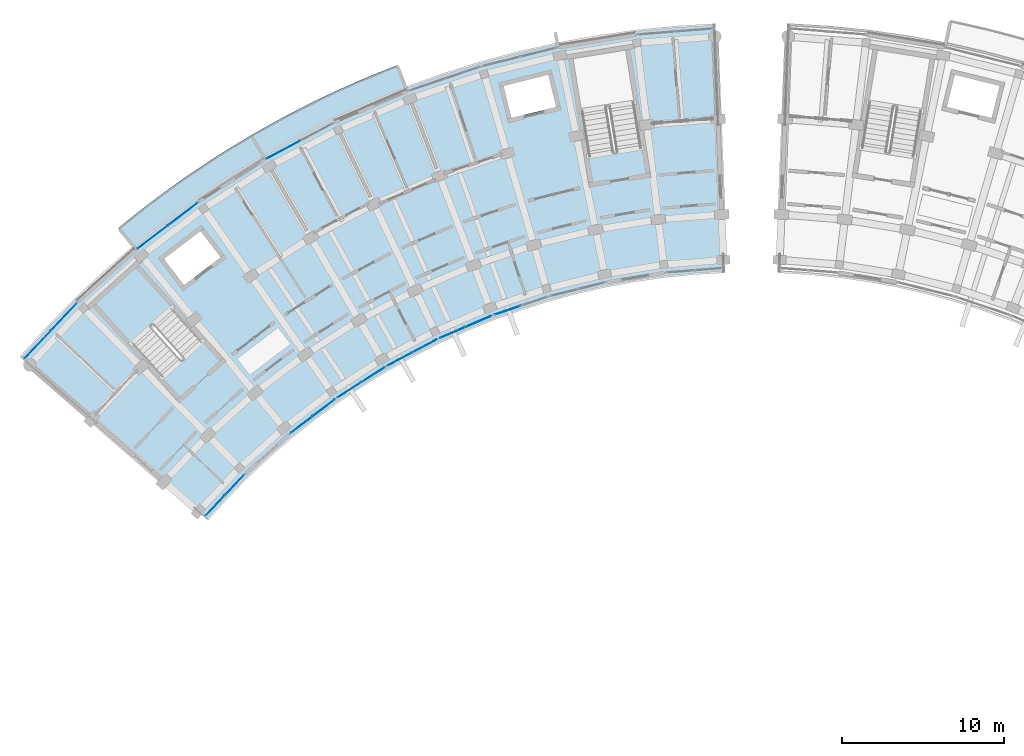
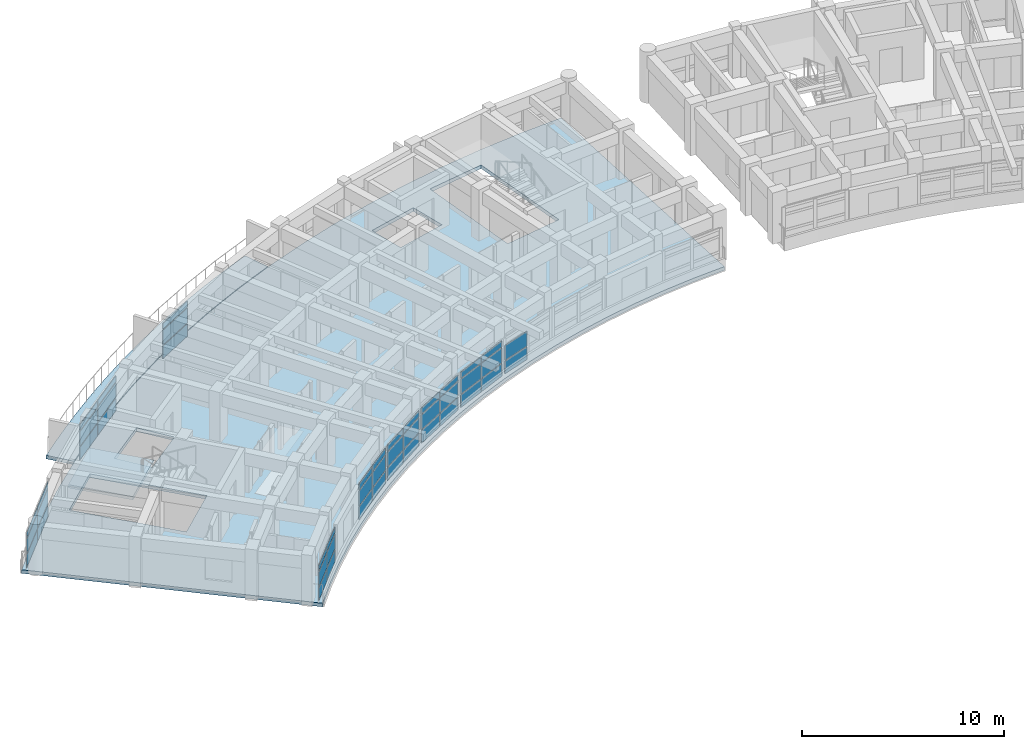
# One storey, part 33 of 70: 47 plates, 3 slabs, 10 elements without a shape of their own.
"""IFC4 building model written with IfcOpenShell, lengths in metres."""

from ifc_helpers import new_model, si_unit, direction, frame, origin, origin_2d, place, context, subcontext, project, spatial, polyline, rectangle, outline, extrude, material, layer, layer_set, type_object, element, aggregate, save


model = new_model("IFC4")

# Units and contexts
model_context = context("Model", 3, precision=1e-05, world=origin(), true_north=direction((0.0, 1.0)))
body_context = subcontext(model_context, "Body", "Model", "MODEL_VIEW")
ifc_project = project(units=[si_unit("LENGTHUNIT", "METRE"), si_unit("AREAUNIT", "SQUARE_METRE"), si_unit("VOLUMEUNIT", "CUBIC_METRE"), si_unit("PLANEANGLEUNIT", "RADIAN"), si_unit("MASSUNIT", "GRAM", prefix="KILO")], contexts=[model_context])

# Site, building, storey
site_placement = place(None, origin())
site = spatial("IfcSite", under=ifc_project, at=site_placement, CompositionType="ELEMENT")
building_placement = place(site_placement, origin())
building = spatial("IfcBuilding", under=site, at=building_placement, Name="Zimvara Arc Housing Community", CompositionType="ELEMENT")
storey_placement = place(building_placement, frame((0.0, 0.0, 8.10009765625)))
storey = spatial("IfcBuildingStorey", under=building, at=storey_placement, Name="L02", CompositionType="ELEMENT", Elevation=8.10009765625)

# Curtain wall, plates
ifc_material_1 = material(Name="Anodised Aluminium AW-6063", Category="aluminium")
curtain_wall_type_1 = type_object("IfcCurtainWallType", Name="CW-SYS-04", PredefinedType="USERDEFINED", material=ifc_material_1)
curtain_wall_1_placement = place(storey_placement, origin())
curtain_wall_1 = element("IfcCurtainWall", 1, at=curtain_wall_1_placement, inside=storey, type_object=curtain_wall_type_1, Name="cw:blkA:L02:in:b2", ObjectType="CURTAIN WALL", PredefinedType="USERDEFINED")
ifc_material_2 = material(Name="Pale-Gold Anodised Aluminium Spandrel Panel", Category="aluminium")
ifc_layer_1 = layer(ifc_material_2, 0.035888671875)
ifc_layer_set_1 = layer_set([ifc_layer_1], Name="Pale-Gold Anodised Aluminium Spandrel Panel")
plate_type_1 = type_object("IfcPlateType", Name="CWP-GLD-36", PredefinedType="CURTAIN_PANEL", material=ifc_layer_set_1)
plate_1_placement = place(storey_placement, frame((17.295654296875, 79.4404296875, 0.06494140625), z_axis=(0.0, 0.0, 1.0), x_axis=(0.795473543119, 0.605988318533, 0.0)))
plate_1 = element("IfcPlate", 2, at=plate_1_placement, type_object=plate_type_1, Name="CW04 panel 1.1", PredefinedType="CURTAIN_PANEL", context=body_context, shape_type="SweptSolid", body=[
    extrude(rectangle(XDim=1.664306640625, YDim=0.035888671875, at=origin_2d()), origin(), (0.0, 0.0, 1.0), 0.75244140625),
])
plate_2_placement = place(storey_placement, frame((17.295654296875, 79.4404296875, 0.88232421875), z_axis=(0.0, 0.0, 1.0), x_axis=(0.795473543119, 0.605988318533, 0.0)))
plate_2 = element("IfcPlate", 3, at=plate_2_placement, type_object=plate_type_1, Name="CW04 panel 1.2", PredefinedType="CURTAIN_PANEL", context=body_context, shape_type="SweptSolid", body=[
    extrude(rectangle(XDim=1.664306640625, YDim=0.035888671875, at=origin_2d()), origin(), (0.0, 0.0, 1.0), 0.885009765625),
])
plate_3_placement = place(storey_placement, frame((17.295654296875, 79.4404296875, 1.832275390625), z_axis=(0.0, 0.0, 1.0), x_axis=(0.795473543119, 0.605988318533, 0.0)))
plate_3 = element("IfcPlate", 4, at=plate_3_placement, type_object=plate_type_1, Name="CW04 panel 1.3", PredefinedType="CURTAIN_PANEL", context=body_context, shape_type="SweptSolid", body=[
    extrude(rectangle(XDim=1.664306640625, YDim=0.035888671875, at=origin_2d()), origin(), (0.0, 0.0, 1.0), 0.3525390625),
])
plate_4_placement = place(storey_placement, frame((18.671142578125, 80.48828125, 0.06494140625), z_axis=(0.0, 0.0, 1.0), x_axis=(0.795473543119, 0.605988318533, 0.0)))
plate_4 = element("IfcPlate", 5, at=plate_4_placement, type_object=plate_type_1, Name="CW04 panel 2.1", PredefinedType="CURTAIN_PANEL", context=body_context, shape_type="SweptSolid", body=[
    extrude(rectangle(XDim=1.664306640625, YDim=0.035888671875, at=origin_2d()), origin(), (0.0, 0.0, 1.0), 0.75244140625),
])
plate_5_placement = place(storey_placement, frame((18.671142578125, 80.48828125, 0.88232421875), z_axis=(0.0, 0.0, 1.0), x_axis=(0.795473543119, 0.605988318533, 0.0)))
plate_5 = element("IfcPlate", 6, at=plate_5_placement, type_object=plate_type_1, Name="CW04 panel 2.2", PredefinedType="CURTAIN_PANEL", context=body_context, shape_type="SweptSolid", body=[
    extrude(rectangle(XDim=1.664306640625, YDim=0.035888671875, at=origin_2d()), origin(), (0.0, 0.0, 1.0), 0.885009765625),
])
plate_6_placement = place(storey_placement, frame((18.671142578125, 80.48828125, 1.832275390625), z_axis=(0.0, 0.0, 1.0), x_axis=(0.795473543119, 0.605988318533, 0.0)))
plate_6 = element("IfcPlate", 7, at=plate_6_placement, type_object=plate_type_1, Name="CW04 panel 2.3", PredefinedType="CURTAIN_PANEL", context=body_context, shape_type="SweptSolid", body=[
    extrude(rectangle(XDim=1.664306640625, YDim=0.035888671875, at=origin_2d()), origin(), (0.0, 0.0, 1.0), 0.3525390625),
])
aggregate(curtain_wall_1, [plate_1, plate_2, plate_3, plate_4, plate_5, plate_6])

ifc_material_3 = material(Name="Anodised Aluminium AW-6063", Category="aluminium")
curtain_wall_type_2 = type_object("IfcCurtainWallType", Name="CW-SYS-08", PredefinedType="USERDEFINED", material=ifc_material_3)
curtain_wall_2_placement = place(storey_placement, origin())
curtain_wall_2 = element("IfcCurtainWall", 8, at=curtain_wall_2_placement, inside=storey, type_object=curtain_wall_type_2, Name="cw:blkA:L02:in:b5", ObjectType="CURTAIN WALL", PredefinedType="USERDEFINED")
plate_7_placement = place(storey_placement, frame((26.599609375, 85.11767578125, 0.06494140625), z_axis=(0.0, 0.0, 1.0), x_axis=(0.918722178415, 0.394904493375, 0.0)))
plate_7 = element("IfcPlate", 9, at=plate_7_placement, type_object=plate_type_1, Name="CW08 panel 1.1", PredefinedType="CURTAIN_PANEL", context=body_context, shape_type="SweptSolid", body=[
    extrude(rectangle(XDim=1.664306640625, YDim=0.035888671875, at=origin_2d()), origin(), (0.0, 0.0, 1.0), 0.75244140625),
])
plate_8_placement = place(storey_placement, frame((26.599609375, 85.11767578125, 0.88232421875), z_axis=(0.0, 0.0, 1.0), x_axis=(0.918722178415, 0.394904493375, 0.0)))
plate_8 = element("IfcPlate", 10, at=plate_8_placement, type_object=plate_type_1, Name="CW08 panel 1.2", PredefinedType="CURTAIN_PANEL", context=body_context, shape_type="SweptSolid", body=[
    extrude(rectangle(XDim=1.664306640625, YDim=0.035888671875, at=origin_2d()), origin(), (0.0, 0.0, 1.0), 0.885009765625),
])
plate_9_placement = place(storey_placement, frame((26.599609375, 85.11767578125, 1.832275390625), z_axis=(0.0, 0.0, 1.0), x_axis=(0.918722178415, 0.394904493375, 0.0)))
plate_9 = element("IfcPlate", 11, at=plate_9_placement, type_object=plate_type_1, Name="CW08 panel 1.3", PredefinedType="CURTAIN_PANEL", context=body_context, shape_type="SweptSolid", body=[
    extrude(rectangle(XDim=1.664306640625, YDim=0.035888671875, at=origin_2d()), origin(), (0.0, 0.0, 1.0), 0.3525390625),
])
plate_10_placement = place(storey_placement, frame((28.1884765625, 85.80078125, 0.06494140625), z_axis=(0.0, 0.0, 1.0), x_axis=(0.918722178415, 0.394904493375, 0.0)))
plate_10 = element("IfcPlate", 12, at=plate_10_placement, type_object=plate_type_1, Name="CW08 panel 2.1", PredefinedType="CURTAIN_PANEL", context=body_context, shape_type="SweptSolid", body=[
    extrude(rectangle(XDim=1.664306640625, YDim=0.035888671875, at=origin_2d()), origin(), (0.0, 0.0, 1.0), 0.75244140625),
])
plate_11_placement = place(storey_placement, frame((28.1884765625, 85.80078125, 0.88232421875), z_axis=(0.0, 0.0, 1.0), x_axis=(0.918722178415, 0.394904493375, 0.0)))
plate_11 = element("IfcPlate", 13, at=plate_11_placement, type_object=plate_type_1, Name="CW08 panel 2.2", PredefinedType="CURTAIN_PANEL", context=body_context, shape_type="SweptSolid", body=[
    extrude(rectangle(XDim=1.664306640625, YDim=0.035888671875, at=origin_2d()), origin(), (0.0, 0.0, 1.0), 0.885009765625),
])
plate_12_placement = place(storey_placement, frame((28.1884765625, 85.80078125, 1.832275390625), z_axis=(0.0, 0.0, 1.0), x_axis=(0.918722178415, 0.394904493375, 0.0)))
plate_12 = element("IfcPlate", 14, at=plate_12_placement, type_object=plate_type_1, Name="CW08 panel 2.3", PredefinedType="CURTAIN_PANEL", context=body_context, shape_type="SweptSolid", body=[
    extrude(rectangle(XDim=1.664306640625, YDim=0.035888671875, at=origin_2d()), origin(), (0.0, 0.0, 1.0), 0.3525390625),
])
aggregate(curtain_wall_2, [plate_7, plate_8, plate_9, plate_10, plate_11, plate_12])

ifc_material_4 = material(Name="Anodised Aluminium AW-6063", Category="aluminium")
curtain_wall_type_3 = type_object("IfcCurtainWallType", Name="CW-SYS-01", PredefinedType="USERDEFINED", material=ifc_material_4)
curtain_wall_3_placement = place(storey_placement, origin())
curtain_wall_3 = element("IfcCurtainWall", 15, at=curtain_wall_3_placement, inside=storey, type_object=curtain_wall_type_3, Name="cw:blkA:L02:out:b0", ObjectType="CURTAIN WALL", PredefinedType="USERDEFINED")
ifc_material_5 = material(Name="Solar Control Low-E Double Glazing", Category="glass")
ifc_layer_2 = layer(ifc_material_5, 0.02392578125)
ifc_layer_set_2 = layer_set([ifc_layer_2], Name="Solar Control Low-E Double Glazing")
plate_type_2 = type_object("IfcPlateType", Name="CWP-GLZ-24", PredefinedType="CURTAIN_PANEL", material=ifc_layer_set_2)
plate_13_placement = place(storey_placement, frame((1.049072265625, 84.3720703125, 0.06494140625), z_axis=(0.0, 0.0, 1.0), x_axis=(0.686326416495, 0.727293647725, 0.0)))
plate_13 = element("IfcPlate", 16, at=plate_13_placement, type_object=plate_type_2, Name="CW01 panel 1.1", PredefinedType="CURTAIN_PANEL", context=body_context, shape_type="SweptSolid", body=[
    extrude(rectangle(XDim=2.266845703125, YDim=0.02392578125, at=origin_2d()), origin(), (0.0, 0.0, 1.0), 0.75244140625),
])
plate_14_placement = place(storey_placement, frame((1.049072265625, 84.3720703125, 0.88232421875), z_axis=(0.0, 0.0, 1.0), x_axis=(0.686326416495, 0.727293647725, 0.0)))
plate_14 = element("IfcPlate", 17, at=plate_14_placement, type_object=plate_type_2, Name="CW01 panel 1.2", PredefinedType="CURTAIN_PANEL", context=body_context, shape_type="SweptSolid", body=[
    extrude(rectangle(XDim=2.266845703125, YDim=0.02392578125, at=origin_2d()), origin(), (0.0, 0.0, 1.0), 0.885009765625),
])
plate_15_placement = place(storey_placement, frame((1.049072265625, 84.3720703125, 1.832275390625), z_axis=(0.0, 0.0, 1.0), x_axis=(0.686326416495, 0.727293647725, 0.0)))
plate_15 = element("IfcPlate", 18, at=plate_15_placement, type_object=plate_type_2, Name="CW01 panel 1.3", PredefinedType="CURTAIN_PANEL", context=body_context, shape_type="SweptSolid", body=[
    extrude(rectangle(XDim=2.266845703125, YDim=0.02392578125, at=origin_2d()), origin(), (0.0, 0.0, 1.0), 0.3525390625),
])
plate_16_placement = place(storey_placement, frame((2.649658203125, 86.068115234375, 0.06494140625), z_axis=(0.0, 0.0, 1.0), x_axis=(0.686326416495, 0.727293647725, 0.0)))
plate_16 = element("IfcPlate", 19, at=plate_16_placement, type_object=plate_type_2, Name="CW01 panel 2.1", PredefinedType="CURTAIN_PANEL", context=body_context, shape_type="SweptSolid", body=[
    extrude(rectangle(XDim=2.266845703125, YDim=0.02392578125, at=origin_2d()), origin(), (0.0, 0.0, 1.0), 0.75244140625),
])
plate_17_placement = place(storey_placement, frame((2.649658203125, 86.068115234375, 0.88232421875), z_axis=(0.0, 0.0, 1.0), x_axis=(0.686326416495, 0.727293647725, 0.0)))
plate_17 = element("IfcPlate", 20, at=plate_17_placement, type_object=plate_type_2, Name="CW01 panel 2.2", PredefinedType="CURTAIN_PANEL", context=body_context, shape_type="SweptSolid", body=[
    extrude(rectangle(XDim=2.266845703125, YDim=0.02392578125, at=origin_2d()), origin(), (0.0, 0.0, 1.0), 0.885009765625),
])
plate_18_placement = place(storey_placement, frame((2.649658203125, 86.068115234375, 1.832275390625), z_axis=(0.0, 0.0, 1.0), x_axis=(0.686326416495, 0.727293647725, 0.0)))
plate_18 = element("IfcPlate", 21, at=plate_18_placement, type_object=plate_type_2, Name="CW01 panel 2.3", PredefinedType="CURTAIN_PANEL", context=body_context, shape_type="SweptSolid", body=[
    extrude(rectangle(XDim=2.266845703125, YDim=0.02392578125, at=origin_2d()), origin(), (0.0, 0.0, 1.0), 0.3525390625),
])
aggregate(curtain_wall_3, [plate_13, plate_14, plate_15, plate_16, plate_17, plate_18])

ifc_material_6 = material(Name="Anodised Aluminium AW-6063", Category="aluminium")
curtain_wall_type_4 = type_object("IfcCurtainWallType", Name="CW-SYS-05", PredefinedType="USERDEFINED", material=ifc_material_6)
curtain_wall_4_placement = place(storey_placement, origin())
curtain_wall_4 = element("IfcCurtainWall", 22, at=curtain_wall_4_placement, inside=storey, type_object=curtain_wall_type_4, Name="cw:blkA:L02:in:b3", ObjectType="CURTAIN WALL", PredefinedType="USERDEFINED")
plate_19_placement = place(storey_placement, frame((20.23876953125, 81.58447265625, 0.06494140625), z_axis=(0.0, 0.0, 1.0), x_axis=(0.842264751752, 0.539064085203, 0.0)))
plate_19 = element("IfcPlate", 23, at=plate_19_placement, type_object=plate_type_2, Name="CW05 panel 1.1", PredefinedType="CURTAIN_PANEL", context=body_context, shape_type="SweptSolid", body=[
    extrude(rectangle(XDim=1.664306640625, YDim=0.02392578125, at=origin_2d()), origin(), (0.0, 0.0, 1.0), 0.75244140625),
])
plate_20_placement = place(storey_placement, frame((20.23876953125, 81.58447265625, 0.88232421875), z_axis=(0.0, 0.0, 1.0), x_axis=(0.842264751752, 0.539064085203, 0.0)))
plate_20 = element("IfcPlate", 24, at=plate_20_placement, type_object=plate_type_2, Name="CW05 panel 1.2", PredefinedType="CURTAIN_PANEL", context=body_context, shape_type="SweptSolid", body=[
    extrude(rectangle(XDim=1.664306640625, YDim=0.02392578125, at=origin_2d()), origin(), (0.0, 0.0, 1.0), 0.885009765625),
])
plate_21_placement = place(storey_placement, frame((20.23876953125, 81.58447265625, 1.832275390625), z_axis=(0.0, 0.0, 1.0), x_axis=(0.842264751752, 0.539064085203, 0.0)))
plate_21 = element("IfcPlate", 25, at=plate_21_placement, type_object=plate_type_2, Name="CW05 panel 1.3", PredefinedType="CURTAIN_PANEL", context=body_context, shape_type="SweptSolid", body=[
    extrude(rectangle(XDim=1.664306640625, YDim=0.02392578125, at=origin_2d()), origin(), (0.0, 0.0, 1.0), 0.3525390625),
])
plate_22_placement = place(storey_placement, frame((21.6953125, 82.5166015625, 0.06494140625), z_axis=(0.0, 0.0, 1.0), x_axis=(0.842264751752, 0.539064085203, 0.0)))
plate_22 = element("IfcPlate", 26, at=plate_22_placement, type_object=plate_type_2, Name="CW05 panel 2.1", PredefinedType="CURTAIN_PANEL", context=body_context, shape_type="SweptSolid", body=[
    extrude(rectangle(XDim=1.664306640625, YDim=0.02392578125, at=origin_2d()), origin(), (0.0, 0.0, 1.0), 0.75244140625),
])
plate_23_placement = place(storey_placement, frame((21.6953125, 82.5166015625, 0.88232421875), z_axis=(0.0, 0.0, 1.0), x_axis=(0.842264751752, 0.539064085203, 0.0)))
plate_23 = element("IfcPlate", 27, at=plate_23_placement, type_object=plate_type_2, Name="CW05 panel 2.2", PredefinedType="CURTAIN_PANEL", context=body_context, shape_type="SweptSolid", body=[
    extrude(rectangle(XDim=1.664306640625, YDim=0.02392578125, at=origin_2d()), origin(), (0.0, 0.0, 1.0), 0.885009765625),
])
plate_24_placement = place(storey_placement, frame((21.6953125, 82.5166015625, 1.832275390625), z_axis=(0.0, 0.0, 1.0), x_axis=(0.842264751752, 0.539064085203, 0.0)))
plate_24 = element("IfcPlate", 28, at=plate_24_placement, type_object=plate_type_2, Name="CW05 panel 2.3", PredefinedType="CURTAIN_PANEL", context=body_context, shape_type="SweptSolid", body=[
    extrude(rectangle(XDim=1.664306640625, YDim=0.02392578125, at=origin_2d()), origin(), (0.0, 0.0, 1.0), 0.3525390625),
])
aggregate(curtain_wall_4, [plate_19, plate_20, plate_21, plate_22, plate_23, plate_24])

ifc_material_7 = material(Name="Anodised Aluminium AW-6063", Category="aluminium")
curtain_wall_type_5 = type_object("IfcCurtainWallType", Name="CW-SYS-02", PredefinedType="USERDEFINED", material=ifc_material_7)
curtain_wall_5_placement = place(storey_placement, origin())
curtain_wall_5 = element("IfcCurtainWall", 29, at=curtain_wall_5_placement, inside=storey, type_object=curtain_wall_type_5, Name="cw:blkA:L02:in:b0", ObjectType="CURTAIN WALL", PredefinedType="USERDEFINED")
ifc_material_8 = material(Name="Solar Control Low-E Double Glazing", Category="glass")
ifc_layer_3 = layer(ifc_material_8, 0.028076171875)
ifc_layer_set_3 = layer_set([ifc_layer_3], Name="Solar Control Low-E Double Glazing")
plate_type_3 = type_object("IfcPlateType", Name="CWP-GLZ-28", PredefinedType="CURTAIN_PANEL", material=ifc_layer_set_3)
plate_25_placement = place(storey_placement, frame((11.981689453125, 74.469482421875, 0.06494140625), z_axis=(0.0, 0.0, 1.0), x_axis=(0.686326805658, 0.727293280483, 0.0)))
plate_25 = element("IfcPlate", 30, at=plate_25_placement, type_object=plate_type_3, Name="CW02 panel 1.1", PredefinedType="CURTAIN_PANEL", context=body_context, shape_type="SweptSolid", body=[
    extrude(rectangle(XDim=1.664306640625, YDim=0.028076171875, at=origin_2d()), origin(), (0.0, 0.0, 1.0), 0.75244140625),
])
plate_26_placement = place(storey_placement, frame((11.981689453125, 74.469482421875, 0.88232421875), z_axis=(0.0, 0.0, 1.0), x_axis=(0.686326805658, 0.727293280483, 0.0)))
plate_26 = element("IfcPlate", 31, at=plate_26_placement, type_object=plate_type_3, Name="CW02 panel 1.2", PredefinedType="CURTAIN_PANEL", context=body_context, shape_type="SweptSolid", body=[
    extrude(rectangle(XDim=1.664306640625, YDim=0.028076171875, at=origin_2d()), origin(), (0.0, 0.0, 1.0), 0.885009765625),
])
plate_27_placement = place(storey_placement, frame((11.981689453125, 74.469482421875, 1.832275390625), z_axis=(0.0, 0.0, 1.0), x_axis=(0.686326805658, 0.727293280483, 0.0)))
plate_27 = element("IfcPlate", 32, at=plate_27_placement, type_object=plate_type_3, Name="CW02 panel 1.3", PredefinedType="CURTAIN_PANEL", context=body_context, shape_type="SweptSolid", body=[
    extrude(rectangle(XDim=1.664306640625, YDim=0.028076171875, at=origin_2d()), origin(), (0.0, 0.0, 1.0), 0.3525390625),
])
plate_28_placement = place(storey_placement, frame((13.168701171875, 75.727294921875, 0.06494140625), z_axis=(0.0, 0.0, 1.0), x_axis=(0.686326805658, 0.727293280483, 0.0)))
plate_28 = element("IfcPlate", 33, at=plate_28_placement, type_object=plate_type_3, Name="CW02 panel 2.1", PredefinedType="CURTAIN_PANEL", context=body_context, shape_type="SweptSolid", body=[
    extrude(rectangle(XDim=1.664306640625, YDim=0.028076171875, at=origin_2d()), origin(), (0.0, 0.0, 1.0), 0.75244140625),
])
plate_29_placement = place(storey_placement, frame((13.168701171875, 75.727294921875, 0.88232421875), z_axis=(0.0, 0.0, 1.0), x_axis=(0.686326805658, 0.727293280483, 0.0)))
plate_29 = element("IfcPlate", 34, at=plate_29_placement, type_object=plate_type_3, Name="CW02 panel 2.2", PredefinedType="CURTAIN_PANEL", context=body_context, shape_type="SweptSolid", body=[
    extrude(rectangle(XDim=1.664306640625, YDim=0.028076171875, at=origin_2d()), origin(), (0.0, 0.0, 1.0), 0.885009765625),
])
plate_30_placement = place(storey_placement, frame((13.168701171875, 75.727294921875, 1.832275390625), z_axis=(0.0, 0.0, 1.0), x_axis=(0.686326805658, 0.727293280483, 0.0)))
plate_30 = element("IfcPlate", 35, at=plate_30_placement, type_object=plate_type_3, Name="CW02 panel 2.3", PredefinedType="CURTAIN_PANEL", context=body_context, shape_type="SweptSolid", body=[
    extrude(rectangle(XDim=1.664306640625, YDim=0.028076171875, at=origin_2d()), origin(), (0.0, 0.0, 1.0), 0.3525390625),
])
aggregate(curtain_wall_5, [plate_25, plate_26, plate_27, plate_28, plate_29, plate_30])

ifc_material_9 = material(Name="Anodised Aluminium AW-6063", Category="aluminium")
curtain_wall_type_6 = type_object("IfcCurtainWallType", Name="CW-SYS-06", PredefinedType="USERDEFINED", material=ifc_material_9)
curtain_wall_6_placement = place(storey_placement, origin())
curtain_wall_6 = element("IfcCurtainWall", 36, at=curtain_wall_6_placement, inside=storey, type_object=curtain_wall_type_6, Name="cw:blkA:L02:out:b4", ObjectType="CURTAIN WALL", PredefinedType="USERDEFINED")
plate_31_placement = place(storey_placement, frame((16.1708984375, 96.36865234375, 0.06494140625), z_axis=(0.0, 0.0, 1.0), x_axis=(0.883438614651, 0.468546917761, 0.0)))
plate_31 = element("IfcPlate", 37, at=plate_31_placement, type_object=plate_type_3, Name="CW06 panel 1.1", PredefinedType="CURTAIN_PANEL", context=body_context, shape_type="SweptSolid", body=[
    extrude(rectangle(XDim=2.266845703125, YDim=0.028076171875, at=origin_2d()), origin(), (0.0, 0.0, 1.0), 0.75244140625),
])
plate_32_placement = place(storey_placement, frame((16.1708984375, 96.36865234375, 0.88232421875), z_axis=(0.0, 0.0, 1.0), x_axis=(0.883438614651, 0.468546917761, 0.0)))
plate_32 = element("IfcPlate", 38, at=plate_32_placement, type_object=plate_type_3, Name="CW06 panel 1.2", PredefinedType="CURTAIN_PANEL", context=body_context, shape_type="SweptSolid", body=[
    extrude(rectangle(XDim=2.266845703125, YDim=0.028076171875, at=origin_2d()), origin(), (0.0, 0.0, 1.0), 0.885009765625),
])
plate_33_placement = place(storey_placement, frame((16.1708984375, 96.36865234375, 1.832275390625), z_axis=(0.0, 0.0, 1.0), x_axis=(0.883438614651, 0.468546917761, 0.0)))
plate_33 = element("IfcPlate", 39, at=plate_33_placement, type_object=plate_type_3, Name="CW06 panel 1.3", PredefinedType="CURTAIN_PANEL", context=body_context, shape_type="SweptSolid", body=[
    extrude(rectangle(XDim=2.266845703125, YDim=0.028076171875, at=origin_2d()), origin(), (0.0, 0.0, 1.0), 0.3525390625),
])
aggregate(curtain_wall_6, [plate_31, plate_32, plate_33])

curtain_wall_7_placement = place(storey_placement, origin())
curtain_wall_7 = element("IfcCurtainWall", 40, at=curtain_wall_7_placement, inside=storey, type_object=curtain_wall_type_5, Name="cw:blkA:L02:in:b6", ObjectType="CURTAIN WALL", PredefinedType="USERDEFINED")
plate_34_placement = place(storey_placement, frame((29.97509765625, 86.483642578125, 0.06494140625), z_axis=(0.0, 0.0, 1.0), x_axis=(0.94787908732, 0.318630249383, 0.0)))
plate_34 = element("IfcPlate", 41, at=plate_34_placement, type_object=plate_type_3, Name="CW02 panel 1.1", PredefinedType="CURTAIN_PANEL", context=body_context, shape_type="SweptSolid", body=[
    extrude(rectangle(XDim=1.664306640625, YDim=0.028076171875, at=origin_2d()), origin(), (0.0, 0.0, 1.0), 0.75244140625),
])
plate_35_placement = place(storey_placement, frame((29.97509765625, 86.483642578125, 0.88232421875), z_axis=(0.0, 0.0, 1.0), x_axis=(0.94787908732, 0.318630249383, 0.0)))
plate_35 = element("IfcPlate", 42, at=plate_35_placement, type_object=plate_type_3, Name="CW02 panel 1.2", PredefinedType="CURTAIN_PANEL", context=body_context, shape_type="SweptSolid", body=[
    extrude(rectangle(XDim=1.664306640625, YDim=0.028076171875, at=origin_2d()), origin(), (0.0, 0.0, 1.0), 0.885009765625),
])
aggregate(curtain_wall_7, [plate_34, plate_35])

ifc_material_10 = material(Name="Anodised Aluminium AW-6063", Category="aluminium")
curtain_wall_type_7 = type_object("IfcCurtainWallType", Name="CW-SYS-03", PredefinedType="USERDEFINED", material=ifc_material_10)
curtain_wall_8_placement = place(storey_placement, origin())
curtain_wall_8 = element("IfcCurtainWall", 43, at=curtain_wall_8_placement, inside=storey, type_object=curtain_wall_type_7, Name="cw:blkA:L02:out:b2", ObjectType="CURTAIN WALL", PredefinedType="USERDEFINED")
ifc_material_11 = material(Name="Acoustic Laminated Solar Glazing", Category="glass")
ifc_layer_4 = layer(ifc_material_11, 0.031982421875)
ifc_layer_set_4 = layer_set([ifc_layer_4], Name="Acoustic Laminated Solar Glazing")
plate_type_4 = type_object("IfcPlateType", Name="CWP-GLZ-32", PredefinedType="CURTAIN_PANEL", material=ifc_layer_set_4)
plate_36_placement = place(storey_placement, frame((8.118896484375, 90.9892578125, 0.06494140625), z_axis=(0.0, 0.0, 1.0), x_axis=(0.795473999177, 0.60598771987, 0.0)))
plate_36 = element("IfcPlate", 44, at=plate_36_placement, type_object=plate_type_4, Name="CW03 panel 1.1", PredefinedType="CURTAIN_PANEL", context=body_context, shape_type="SweptSolid", body=[
    extrude(rectangle(XDim=2.266845703125, YDim=0.031982421875, at=origin_2d()), origin(), (0.0, 0.0, 1.0), 0.75244140625),
])
plate_37_placement = place(storey_placement, frame((8.118896484375, 90.9892578125, 0.88232421875), z_axis=(0.0, 0.0, 1.0), x_axis=(0.795473999177, 0.60598771987, 0.0)))
plate_37 = element("IfcPlate", 45, at=plate_37_placement, type_object=plate_type_4, Name="CW03 panel 1.2", PredefinedType="CURTAIN_PANEL", context=body_context, shape_type="SweptSolid", body=[
    extrude(rectangle(XDim=2.266845703125, YDim=0.031982421875, at=origin_2d()), origin(), (0.0, 0.0, 1.0), 0.885009765625),
])
plate_38_placement = place(storey_placement, frame((8.118896484375, 90.9892578125, 1.832275390625), z_axis=(0.0, 0.0, 1.0), x_axis=(0.795473999177, 0.60598771987, 0.0)))
plate_38 = element("IfcPlate", 46, at=plate_38_placement, type_object=plate_type_4, Name="CW03 panel 1.3", PredefinedType="CURTAIN_PANEL", context=body_context, shape_type="SweptSolid", body=[
    extrude(rectangle(XDim=2.266845703125, YDim=0.031982421875, at=origin_2d()), origin(), (0.0, 0.0, 1.0), 0.3525390625),
])
plate_39_placement = place(storey_placement, frame((9.973876953125, 92.40234375, 0.06494140625), z_axis=(0.0, 0.0, 1.0), x_axis=(0.795473999177, 0.60598771987, 0.0)))
plate_39 = element("IfcPlate", 47, at=plate_39_placement, type_object=plate_type_4, Name="CW03 panel 2.1", PredefinedType="CURTAIN_PANEL", context=body_context, shape_type="SweptSolid", body=[
    extrude(rectangle(XDim=2.266845703125, YDim=0.031982421875, at=origin_2d()), origin(), (0.0, 0.0, 1.0), 0.75244140625),
])
plate_40_placement = place(storey_placement, frame((9.973876953125, 92.40234375, 0.88232421875), z_axis=(0.0, 0.0, 1.0), x_axis=(0.795473999177, 0.60598771987, 0.0)))
plate_40 = element("IfcPlate", 48, at=plate_40_placement, type_object=plate_type_4, Name="CW03 panel 2.2", PredefinedType="CURTAIN_PANEL", context=body_context, shape_type="SweptSolid", body=[
    extrude(rectangle(XDim=2.266845703125, YDim=0.031982421875, at=origin_2d()), origin(), (0.0, 0.0, 1.0), 0.885009765625),
])
plate_41_placement = place(storey_placement, frame((9.973876953125, 92.40234375, 1.832275390625), z_axis=(0.0, 0.0, 1.0), x_axis=(0.795473999177, 0.60598771987, 0.0)))
plate_41 = element("IfcPlate", 49, at=plate_41_placement, type_object=plate_type_4, Name="CW03 panel 2.3", PredefinedType="CURTAIN_PANEL", context=body_context, shape_type="SweptSolid", body=[
    extrude(rectangle(XDim=2.266845703125, YDim=0.031982421875, at=origin_2d()), origin(), (0.0, 0.0, 1.0), 0.3525390625),
])
aggregate(curtain_wall_8, [plate_36, plate_37, plate_38, plate_39, plate_40, plate_41])

ifc_material_12 = material(Name="Anodised Aluminium AW-6063", Category="aluminium")
curtain_wall_type_8 = type_object("IfcCurtainWallType", Name="CW-SYS-07", PredefinedType="USERDEFINED", material=ifc_material_12)
curtain_wall_9_placement = place(storey_placement, origin())
curtain_wall_9 = element("IfcCurtainWall", 50, at=curtain_wall_9_placement, inside=storey, type_object=curtain_wall_type_8, Name="cw:blkA:L02:in:b4", ObjectType="CURTAIN WALL", PredefinedType="USERDEFINED")
plate_42_placement = place(storey_placement, frame((23.346923828125, 83.48095703125, 0.06494140625), z_axis=(0.0, 0.0, 1.0), x_axis=(0.88343981815, 0.468544648573, 0.0)))
plate_42 = element("IfcPlate", 51, at=plate_42_placement, type_object=plate_type_4, Name="CW07 panel 1.1", PredefinedType="CURTAIN_PANEL", context=body_context, shape_type="SweptSolid", body=[
    extrude(rectangle(XDim=1.664306640625, YDim=0.031982421875, at=origin_2d()), origin(), (0.0, 0.0, 1.0), 0.75244140625),
])
plate_43_placement = place(storey_placement, frame((23.346923828125, 83.48095703125, 0.88232421875), z_axis=(0.0, 0.0, 1.0), x_axis=(0.88343981815, 0.468544648573, 0.0)))
plate_43 = element("IfcPlate", 52, at=plate_43_placement, type_object=plate_type_4, Name="CW07 panel 1.2", PredefinedType="CURTAIN_PANEL", context=body_context, shape_type="SweptSolid", body=[
    extrude(rectangle(XDim=1.664306640625, YDim=0.031982421875, at=origin_2d()), origin(), (0.0, 0.0, 1.0), 0.885009765625),
])
plate_44_placement = place(storey_placement, frame((23.346923828125, 83.48095703125, 1.832275390625), z_axis=(0.0, 0.0, 1.0), x_axis=(0.88343981815, 0.468544648573, 0.0)))
plate_44 = element("IfcPlate", 53, at=plate_44_placement, type_object=plate_type_4, Name="CW07 panel 1.3", PredefinedType="CURTAIN_PANEL", context=body_context, shape_type="SweptSolid", body=[
    extrude(rectangle(XDim=1.664306640625, YDim=0.031982421875, at=origin_2d()), origin(), (0.0, 0.0, 1.0), 0.3525390625),
])
plate_45_placement = place(storey_placement, frame((24.874755859375, 84.291259765625, 0.06494140625), z_axis=(0.0, 0.0, 1.0), x_axis=(0.88343981815, 0.468544648573, 0.0)))
plate_45 = element("IfcPlate", 54, at=plate_45_placement, type_object=plate_type_4, Name="CW07 panel 2.1", PredefinedType="CURTAIN_PANEL", context=body_context, shape_type="SweptSolid", body=[
    extrude(rectangle(XDim=1.664306640625, YDim=0.031982421875, at=origin_2d()), origin(), (0.0, 0.0, 1.0), 0.75244140625),
])
plate_46_placement = place(storey_placement, frame((24.874755859375, 84.291259765625, 0.88232421875), z_axis=(0.0, 0.0, 1.0), x_axis=(0.88343981815, 0.468544648573, 0.0)))
plate_46 = element("IfcPlate", 55, at=plate_46_placement, type_object=plate_type_4, Name="CW07 panel 2.2", PredefinedType="CURTAIN_PANEL", context=body_context, shape_type="SweptSolid", body=[
    extrude(rectangle(XDim=1.664306640625, YDim=0.031982421875, at=origin_2d()), origin(), (0.0, 0.0, 1.0), 0.885009765625),
])
plate_47_placement = place(storey_placement, frame((24.874755859375, 84.291259765625, 1.832275390625), z_axis=(0.0, 0.0, 1.0), x_axis=(0.88343981815, 0.468544648573, 0.0)))
plate_47 = element("IfcPlate", 56, at=plate_47_placement, type_object=plate_type_4, Name="CW07 panel 2.3", PredefinedType="CURTAIN_PANEL", context=body_context, shape_type="SweptSolid", body=[
    extrude(rectangle(XDim=1.664306640625, YDim=0.031982421875, at=origin_2d()), origin(), (0.0, 0.0, 1.0), 0.3525390625),
])
aggregate(curtain_wall_9, [plate_42, plate_43, plate_44, plate_45, plate_46, plate_47])

# Stair, slab
ifc_material_13 = material(Name="Concrete C35/45", Category="concrete")
stair_type = type_object("IfcStairType", Name="STR-DL-312-310", PredefinedType="HALF_TURN_STAIR", material=ifc_material_13)
stair_placement = place(storey_placement, origin())
stair = element("IfcStair", 57, at=stair_placement, inside=storey, type_object=stair_type, Name="L02 Block A Exit Stair 1", PredefinedType="HALF_TURN_STAIR")
ifc_material_14 = material(Name="Concrete C35/45", Category="concrete")
ifc_layer_5 = layer(ifc_material_14, 0.199951171875)
ifc_layer_set_5 = layer_set([ifc_layer_5], Name="Concrete C35/45")
slab_type_1 = type_object("IfcSlabType", Name="SLB-STAIR-LND-200", PredefinedType="LANDING", material=ifc_layer_set_5)
slab_1_placement = place(storey_placement, frame((0.0, 0.0, 1.349853515625)))
slab_1 = element("IfcSlab", 58, at=slab_1_placement, type_object=slab_type_1, Name="ST-A1 landing 1", PredefinedType="LANDING", context=body_context, shape_type="SweptSolid", body=[
    extrude(outline(polyline([(9.3486328125, 86.634521484375), (7.09326171875, 89.14111328125), (4.595458984375, 86.8935546875), (6.850830078125, 84.386962890625), (9.3486328125, 86.634521484375)])), origin(), (0.0, 0.0, 1.0), 0.199951171875),
])
aggregate(stair, [slab_1])

# Slabs
ifc_material_15 = material(Name="Concrete C35/45", Category="concrete")
ifc_layer_6 = layer(ifc_material_15, 0.2099609375)
ifc_layer_set_6 = layer_set([ifc_layer_6], Name="Concrete C35/45")
slab_type_2 = type_object("IfcSlabType", Name="SLB-TER-210", PredefinedType="FLOOR", material=ifc_layer_set_6)
slab_2_placement = place(storey_placement, frame((0.0, 0.0, -0.210205078125)))
element("IfcSlab", 59, at=slab_2_placement, inside=storey, type_object=slab_type_2, Name="slab:blkA:L02:bal_out", PredefinedType="FLOOR", context=body_context, shape_type="SweptSolid", body=[
    extrude(outline(polyline([(6.0205078125, 91.55126953125), (6.958251953125, 90.419189453125), (6.958740234375, 90.41943359375), (8.864501953125, 91.93359375), (8.865478515625, 91.9345703125), (10.831298828125, 93.36962890625), (10.832275390625, 93.370361328125), (12.85498046875, 94.723876953125), (12.856201171875, 94.724609375), (14.932373046875, 95.994384765625), (14.93359375, 95.9951171875), (17.06005859375, 97.17919921875), (17.06103515625, 97.1796875), (19.234130859375, 98.27587890625), (19.2353515625, 98.276611328125), (21.451416015625, 99.283203125), (21.452392578125, 99.28369140625), (23.707763671875, 100.198974609375), (23.708251953125, 100.19921875), (23.183349609375, 101.572265625), (22.0224609375, 101.114990234375), (20.871337890625, 100.634033203125), (19.730224609375, 100.129638671875), (18.599609375, 99.60205078125), (17.47998046875, 99.051513671875), (16.371826171875, 98.47802734375), (15.275634765625, 97.88232421875), (14.19189453125, 97.26416015625), (13.120849609375, 96.624267578125), (12.063232421875, 95.96240234375), (11.019287109375, 95.279052734375), (9.989501953125, 94.57470703125), (8.974365234375, 93.849365234375), (7.97412109375, 93.103515625), (6.989501953125, 92.337158203125), (6.0205078125, 91.55126953125)])), origin(), (0.0, 0.0, 1.0), 0.210205078125),
])
ifc_material_16 = material(Name="Concrete C35/45", Category="concrete")
ifc_layer_7 = layer(ifc_material_16, 0.218017578125)
ifc_layer_set_7 = layer_set([ifc_layer_7], Name="Concrete C35/45")
slab_type_3 = type_object("IfcSlabType", Name="SLB-VAR-03", PredefinedType="FLOOR", material=ifc_layer_set_7)
slab_3_placement = place(storey_placement, frame((0.0, 0.0, -0.218017578125)))
element("IfcSlab", 60, at=slab_3_placement, inside=storey, type_object=slab_type_3, Name="slab:blkA:L02:main", PredefinedType="FLOOR", context=body_context, shape_type="SweptSolid", body=[
    extrude(outline(polyline([(11.490966796875, 73.62890625), (12.708251953125, 74.972900390625), (13.979248046875, 76.265869140625), (15.302001953125, 77.506103515625), (16.674560546875, 78.69091796875), (18.093994140625, 79.819091796875), (19.55859375, 80.88818359375), (21.0654296875, 81.896484375), (22.6123046875, 82.842529296875), (24.196533203125, 83.724609375), (25.8154296875, 84.541259765625), (27.46630859375, 85.291259765625), (29.146240234375, 85.97314453125), (30.852783203125, 86.5859375), (32.5830078125, 87.12841796875), (34.333984375, 87.599853515625), (36.1025390625, 87.999267578125), (37.885986328125, 88.326416015625), (39.681396484375, 88.580322265625), (41.485595703125, 88.7607421875), (43.295654296875, 88.8671875), (42.712158203125, 104.05615234375), (40.282470703125, 103.9130859375), (37.860595703125, 103.6708984375), (35.450439453125, 103.330078125), (33.056640625, 102.89111328125), (30.682373046875, 102.354736328125), (28.332275390625, 101.721923828125), (26.009765625, 100.99365234375), (23.718994140625, 100.171142578125), (21.463623046875, 99.255859375), (19.247802734375, 98.249267578125), (17.07470703125, 97.15283203125), (14.947998046875, 95.96875), (12.871826171875, 94.698974609375), (10.848876953125, 93.34521484375), (8.883056640625, 91.91015625), (6.9775390625, 90.39599609375), (5.13525390625, 88.805419921875), (3.359619140625, 87.140869140625), (1.6533203125, 85.405029296875), (0.019287109375, 83.60107421875), (11.490966796875, 73.62890625)]), holes=[polyline([(8.73193359375, 82.356201171875), (4.65185546875, 86.890625), (7.090087890625, 89.08447265625), (11.17041015625, 84.550048828125), (8.73193359375, 82.356201171875)]), polyline([(34.9853515625, 95.960205078125), (34.008056640625, 101.9814453125), (37.24560546875, 102.507080078125), (38.222900390625, 96.48583984375), (34.9853515625, 95.960205078125)]), polyline([(10.05615234375, 88.02685546875), (8.820068359375, 89.649658203125), (11.0791015625, 91.37060546875), (12.3154296875, 89.747802734375), (10.05615234375, 88.02685546875)]), polyline([(30.216796875, 98.324951171875), (29.726806640625, 100.30517578125), (32.483642578125, 100.9873046875), (32.9736328125, 99.007080078125), (30.216796875, 98.324951171875)])]), origin(), (0.0, 0.0, 1.0), 0.218017578125),
])

save(model, "model.ifc")
